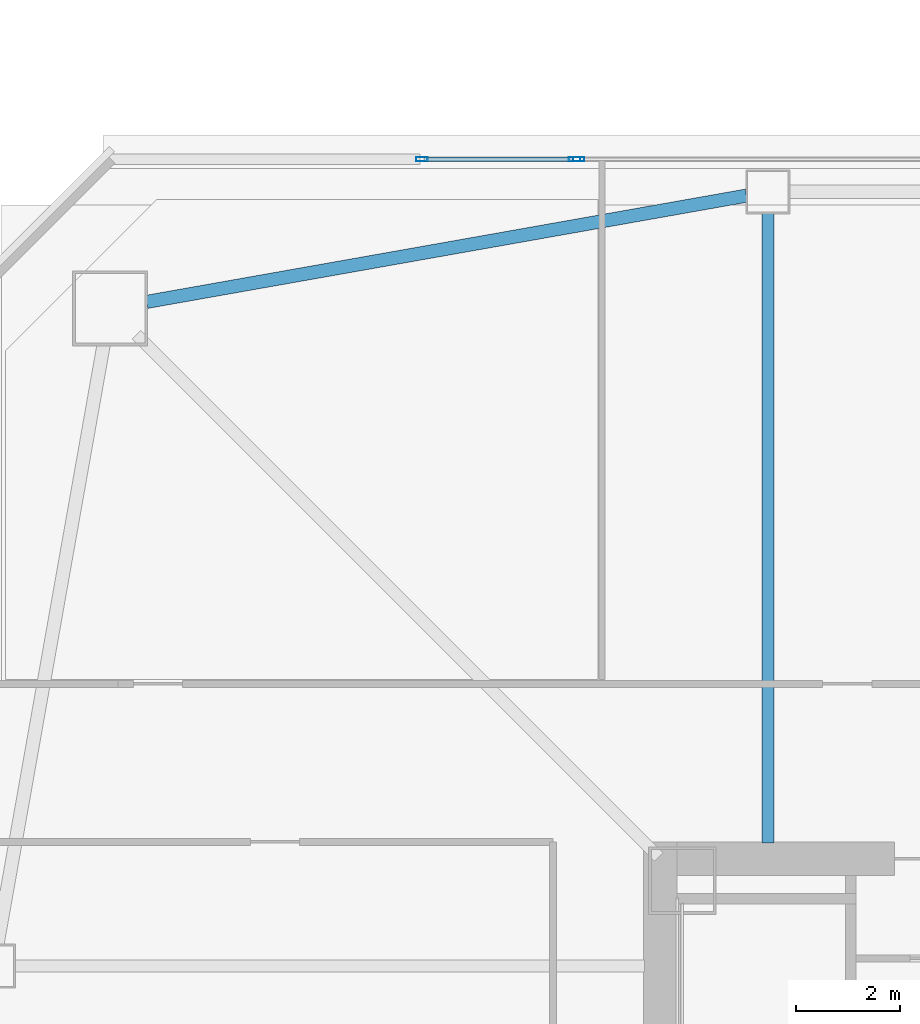
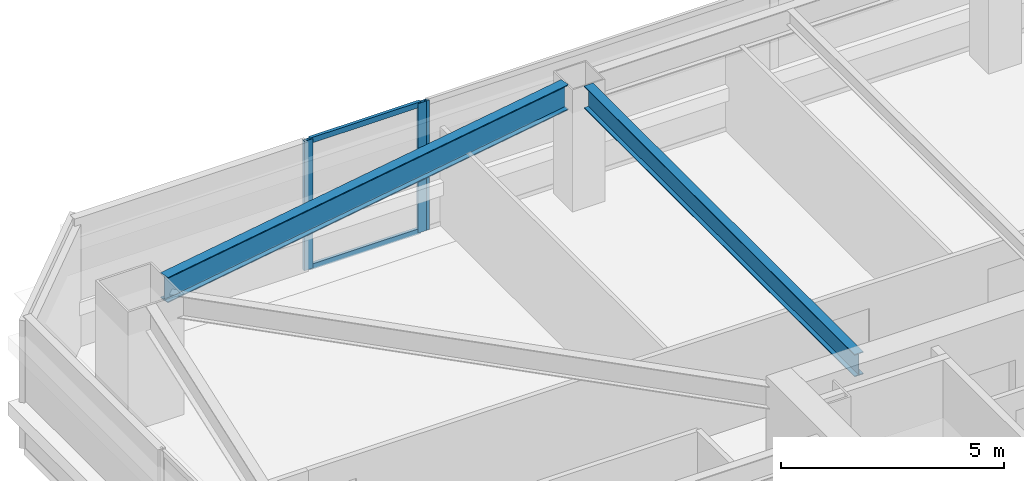
# One storey, part 14 of 49: 5 members, 2 beams, 2 elements without a shape of their own.
"""IFC4 building model written with IfcOpenShell, lengths in metres."""

from ifc_helpers import new_model, si_unit, direction, frame, origin, origin_2d, place, context, subcontext, project, spatial, hollow_rectangle, i_section, extrude, material, material_profile, profile_set, type_object, element, aggregate, save


model = new_model("IFC4")

# Units and contexts
model_context = context("Model", 3, precision=1e-05, world=origin(), true_north=direction((0.0, 1.0)))
body_context = subcontext(model_context, "Body", "Model", "MODEL_VIEW")
ifc_project = project(units=[si_unit("LENGTHUNIT", "METRE"), si_unit("AREAUNIT", "SQUARE_METRE"), si_unit("VOLUMEUNIT", "CUBIC_METRE"), si_unit("PLANEANGLEUNIT", "RADIAN"), si_unit("MASSUNIT", "GRAM", prefix="KILO")], contexts=[model_context])

# Site, building, storey
site_placement = place(None, origin())
site = spatial("IfcSite", under=ifc_project, at=site_placement, CompositionType="ELEMENT")
building_placement = place(site_placement, origin())
building = spatial("IfcBuilding", under=site, at=building_placement, Name="Tashvorn Skyway Center", CompositionType="ELEMENT")
storey_placement = place(building_placement, frame((0.0, 0.0, 70.75)))
storey = spatial("IfcBuildingStorey", under=building, at=storey_placement, Name="L18", CompositionType="ELEMENT", Elevation=70.75)

# Beams
ifc_material_1 = material(Name="Steel ASTM A992 Grade 50", Category="steel")
ifc_material_profile_1 = material_profile(ifc_material_1, i_section(OverallWidth=0.22998046875, OverallDepth=0.616943359375, WebThickness=0.01318359375, FlangeThickness=0.022216796875, at=origin_2d()), Name="W24X94")
ifc_profile_set_1 = profile_set([ifc_material_profile_1], Name="Steel ASTM A992 Grade 50")
beam_type_1 = type_object("IfcBeamType", Name="BM-BEAM-W24X94", PredefinedType="BEAM", material=ifc_profile_set_1)
beam_1_placement = place(storey_placement, frame((36.60009765625, 51.929931640625, 3.04150390625), z_axis=(0.0, -1.0, 0.0), x_axis=(1.0, 0.0, 0.0)))
element("IfcBeam", 1, at=beam_1_placement, inside=storey, type_object=beam_type_1, Name="Tower 1 L18 Primary Floor Girder FC-N2", PredefinedType="BEAM", context=body_context, shape_type="SweptSolid", body=[
    extrude(i_section(OverallWidth=0.22998046875, OverallDepth=0.616943359375, WebThickness=0.01318359375, FlangeThickness=0.022216796875, at=origin_2d()), origin(), (0.0, 0.0, 1.0), 12.14990234375),
])
ifc_material_profile_2 = material_profile(ifc_material_1, i_section(OverallWidth=0.256103515625, OverallDepth=0.693115234375, WebThickness=0.014404296875, FlangeThickness=0.023681640625, at=origin_2d()), Name="W27X114")
ifc_profile_set_2 = profile_set([ifc_material_profile_2], Name="Steel ASTM A992 Grade 50")
beam_type_2 = type_object("IfcBeamType", Name="BM-SPANDREL-W27X114", PredefinedType="SPANDREL", material=ifc_profile_set_2)
beam_2_placement = place(storey_placement, frame((36.1865234375, 52.276611328125, 3.00341796875), z_axis=(-0.98466816531, -0.174437966698, 0.0), x_axis=(0.174437966698, -0.98466816531, 0.0)))
element("IfcBeam", 2, at=beam_2_placement, inside=storey, type_object=beam_type_2, Name="Tower 1 L18 Spandrel Beam 09", PredefinedType="SPANDREL", context=body_context, shape_type="SweptSolid", body=[
    extrude(i_section(OverallWidth=0.256103515625, OverallDepth=0.693115234375, WebThickness=0.014404296875, FlangeThickness=0.023681640625, at=origin_2d()), origin(), (0.0, 0.0, 1.0), 11.7578125),
])

# Curtain wall, members
ifc_material_2 = material(Name="Thermally broken bronze-anodized aluminium 6063-T6", Category="aluminium")
curtain_wall_type = type_object("IfcCurtainWallType", Name="CW-CW-Z2", PredefinedType="NOTDEFINED", material=ifc_material_2)
curtain_wall_1_placement = place(storey_placement, origin())
curtain_wall_1 = element("IfcCurtainWall", 3, at=curtain_wall_1_placement, inside=storey, type_object=curtain_wall_type, Name="Tower 1 L18 North Unitised Curtain Wall Glazing Group 1", PredefinedType="NOTDEFINED")
ifc_material_profile_3 = material_profile(ifc_material_2, hollow_rectangle(XDim=0.080078125, YDim=0.219970703125, WallThickness=0.0048828125, at=origin_2d()), Name="ALU-MULL-80x220")
ifc_profile_set_3 = profile_set([ifc_material_profile_3], Name="Thermally broken bronze-anodized aluminium 6063-T6")
member_type_1 = type_object("IfcMemberType", Name="CWM-CW-Z2", PredefinedType="MULLION", material=ifc_profile_set_3)
member_1_placement = place(storey_placement, frame((29.919921875, 52.97998046875, 0.0), z_axis=(0.0, 0.0, 1.0), x_axis=(0.0, 1.0, 0.0)))
member_1 = element("IfcMember", 4, at=member_1_placement, type_object=member_type_1, Name="CW-Z2 mullion 1", PredefinedType="MULLION", context=body_context, shape_type="SweptSolid", body=[
    extrude(hollow_rectangle(XDim=0.080078125, YDim=0.219970703125, WallThickness=0.0048828125, at=origin_2d()), origin(), (0.0, 0.0, 1.0), 3.550048828125),
])
member_2_placement = place(storey_placement, frame((32.8701171875, 52.97998046875, 0.0), z_axis=(0.0, 0.0, 1.0), x_axis=(0.0, 1.0, 0.0)))
member_2 = element("IfcMember", 5, at=member_2_placement, type_object=member_type_1, Name="CW-Z2 mullion 2", PredefinedType="MULLION", context=body_context, shape_type="SweptSolid", body=[
    extrude(hollow_rectangle(XDim=0.080078125, YDim=0.219970703125, WallThickness=0.0048828125, at=origin_2d()), origin(), (0.0, 0.0, 1.0), 3.550048828125),
])

# Curtain wall, member
curtain_wall_2_placement = place(storey_placement, origin())
curtain_wall_2 = element("IfcCurtainWall", 6, at=curtain_wall_2_placement, inside=storey, type_object=curtain_wall_type, Name="Tower 1 L18 North Unitised Curtain Wall Glazing Group 2", PredefinedType="NOTDEFINED")
member_3_placement = place(storey_placement, frame((32.949951171875, 52.97998046875, 0.0), z_axis=(0.0, 0.0, 1.0), x_axis=(0.0, 1.0, 0.0)))
member_3 = element("IfcMember", 7, at=member_3_placement, type_object=member_type_1, Name="CW-Z2 mullion 1", PredefinedType="MULLION", context=body_context, shape_type="SweptSolid", body=[
    extrude(hollow_rectangle(XDim=0.080078125, YDim=0.219970703125, WallThickness=0.0048828125, at=origin_2d()), origin(), (0.0, 0.0, 1.0), 3.550048828125),
])
aggregate(curtain_wall_2, [member_3])

# Member
ifc_material_profile_4 = material_profile(ifc_material_2, hollow_rectangle(XDim=0.080078125, YDim=0.14990234375, WallThickness=0.00439453125, at=origin_2d()), Name="ALU-TRAN-80x150")
ifc_profile_set_4 = profile_set([ifc_material_profile_4], Name="Thermally broken bronze-anodized aluminium 6063-T6")
member_type_2 = type_object("IfcMemberType", Name="CWT-CW-Z2", PredefinedType="USERDEFINED", material=ifc_profile_set_4)
member_4_placement = place(storey_placement, frame((29.9599609375, 52.97998046875, 0.0400390625), z_axis=(1.0, 0.0, 0.0), x_axis=(0.0, 1.0, 0.0)))
member_4 = element("IfcMember", 8, at=member_4_placement, type_object=member_type_2, Name="CW-Z2 transom 1.1", ObjectType="TRANSOM", PredefinedType="USERDEFINED", context=body_context, shape_type="SweptSolid", body=[
    extrude(hollow_rectangle(XDim=0.080078125, YDim=0.14990234375, WallThickness=0.00439453125, at=origin_2d()), origin(), (0.0, 0.0, 1.0), 2.8701171875),
])

member_5_placement = place(storey_placement, frame((29.9599609375, 52.97998046875, 3.510009765625), z_axis=(1.0, 0.0, 0.0), x_axis=(0.0, 1.0, 0.0)))
member_5 = element("IfcMember", 9, at=member_5_placement, type_object=member_type_2, Name="CW-Z2 transom 1.2", ObjectType="TRANSOM", PredefinedType="USERDEFINED", context=body_context, shape_type="SweptSolid", body=[
    extrude(hollow_rectangle(XDim=0.080078125, YDim=0.14990234375, WallThickness=0.00439453125, at=origin_2d()), origin(), (0.0, 0.0, 1.0), 2.8701171875),
])

aggregate(curtain_wall_1, [member_1, member_2, member_4, member_5])

save(model, "model.ifc")
